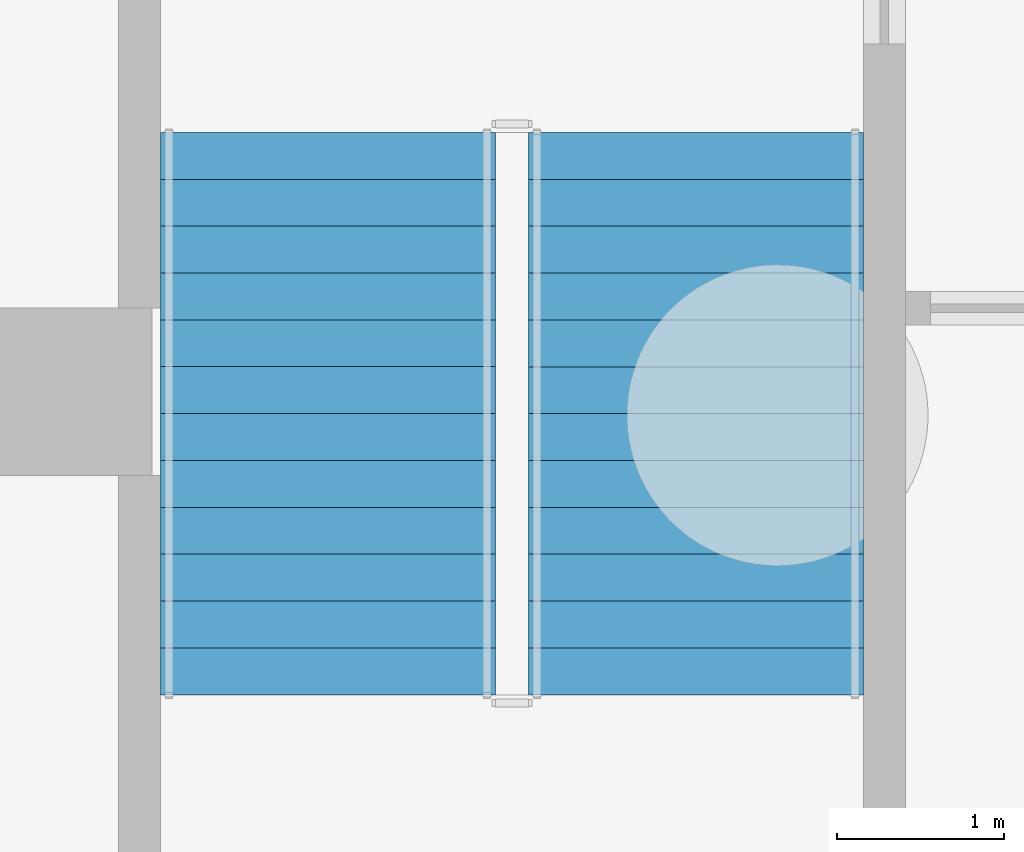
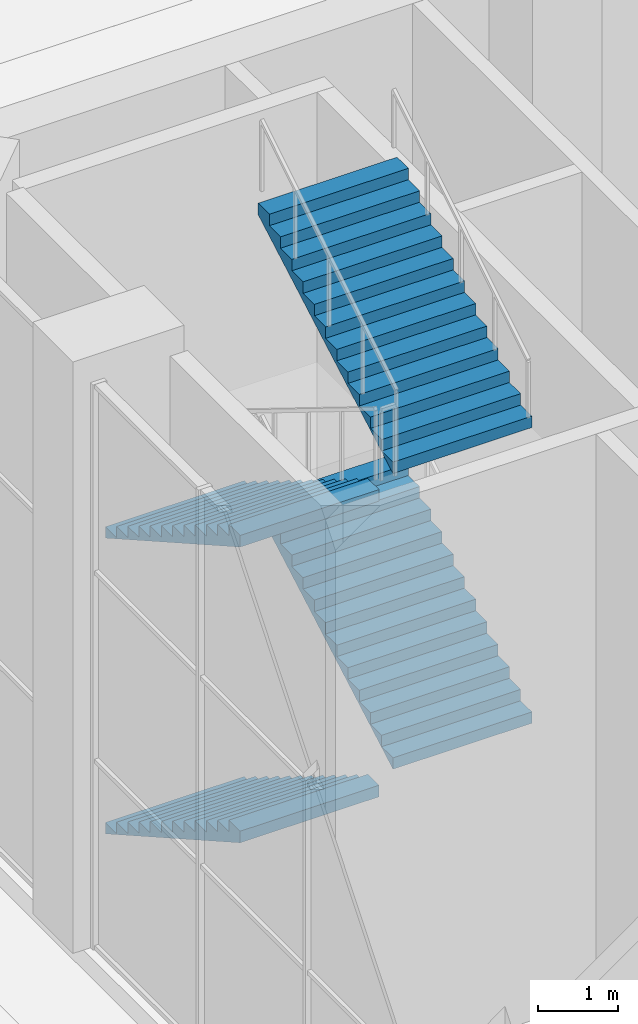
# One storey, part 19 of 25: 4 stair flights, 1 element without a shape of its own.
"""IFC4 building model written with IfcOpenShell, lengths in metres."""

from ifc_helpers import new_model, si_unit, direction, frame, origin, place, context, subcontext, project, spatial, triangles, material, type_object, element, aggregate, save


model = new_model("IFC4")

# Units and contexts
model_context = context("Model", 3, precision=1e-05, world=origin(), true_north=direction((0.0, 1.0)))
body_context = subcontext(model_context, "Body", "Model", "MODEL_VIEW")
ifc_project = project(units=[si_unit("LENGTHUNIT", "METRE"), si_unit("AREAUNIT", "SQUARE_METRE"), si_unit("VOLUMEUNIT", "CUBIC_METRE"), si_unit("PLANEANGLEUNIT", "RADIAN"), si_unit("MASSUNIT", "GRAM", prefix="KILO")], contexts=[model_context])

# Site, building, storey
site_placement = place(None, origin())
site = spatial("IfcSite", under=ifc_project, at=site_placement, CompositionType="ELEMENT")
building_placement = place(site_placement, origin())
building = spatial("IfcBuilding", under=site, at=building_placement, Name="Cypress Arch Tower", CompositionType="ELEMENT")
storey_placement = place(building_placement, origin())
storey = spatial("IfcBuildingStorey", under=building, at=storey_placement, Name="L00", CompositionType="ELEMENT", Elevation=0.0)

# Stair, stair flights
ifc_material_1 = material(Name="Concrete C40/50", Category="concrete")
stair_type = type_object("IfcStairType", Name="Exit stair ES1731-200", PredefinedType="HALF_TURN_STAIR", material=ifc_material_1)
stair_placement = place(storey_placement, origin())
stair = element("IfcStair", 1, at=stair_placement, inside=storey, type_object=stair_type, Name="L00 Exit stair P2", PredefinedType="HALF_TURN_STAIR")
ifc_material_2 = material(Name="Concrete C40/50", Category="concrete")
stair_flight_type = type_object("IfcStairFlightType", Name="Exit stair flight ES1731-200", PredefinedType="STRAIGHT", material=ifc_material_2)
stair_flight_1_placement = place(storey_placement, frame((-36.5, 24.050048828125, 0.0), z_axis=(0.0, 0.0, 1.0), x_axis=(0.0, -1.0, 0.0)))
stair_flight_1 = element("IfcStairFlight", 2, at=stair_flight_1_placement, type_object=stair_flight_type, Name="P2 flight 1", NumberOfRisers=13, NumberOfTreads=12, PredefinedType="STRAIGHT", RiserHeight=0.173076923, TreadLength=0.28, context=body_context, shape_type="Tessellation", body=[
    triangles([(0.0, -1.0, 0.0), (0.00048828125, -1.0, 0.0576171875), (0.00048828125, -1.0, 0.115478515625), (0.0, -1.0, 0.173095703125), (0.280029296875, -1.0, 0.173095703125), (0.280029296875, -1.0, 0.34619140625), (0.56005859375, -1.0, 0.34619140625), (0.56005859375, -1.0, 0.519287109375), (0.840087890625, -1.0, 0.519287109375), (0.840087890625, -1.0, 0.6923828125), (1.1201171875, -1.0, 0.6923828125), (1.1201171875, -1.0, 0.865478515625), (1.39990234375, -1.0, 0.865478515625), (1.39990234375, -1.0, 1.03857421875), (1.679931640625, -1.0, 1.03857421875), (1.679931640625, -1.0, 1.21142578125), (1.9599609375, -1.0, 1.21142578125), (1.9599609375, -1.0, 1.384521484375), (2.239990234375, -1.0, 1.384521484375), (2.239990234375, -1.0, 1.5576171875), (2.52001953125, -1.0, 1.5576171875), (2.52001953125, -1.0, 1.730712890625), (2.800048828125, -1.0, 1.730712890625), (2.800048828125, -1.0, 1.90380859375), (3.080078125, -1.0, 1.90380859375), (3.080078125, -1.0, 2.076904296875), (3.360107421875, -1.0, 2.076904296875), (3.359619140625, -1.0, 2.01806640625), (3.359619140625, -1.0, 1.95947265625), (3.360107421875, -1.0, 1.900634765625), (3.360107421875, 1.0, 1.900634765625), (3.359619140625, 1.0, 1.95947265625), (3.359619140625, 1.0, 2.01806640625), (3.360107421875, 1.0, 2.076904296875), (3.080078125, 1.0, 2.076904296875), (3.080078125, 1.0, 1.90380859375), (2.800048828125, 1.0, 1.90380859375), (2.800048828125, 1.0, 1.730712890625), (2.52001953125, 1.0, 1.730712890625), (2.52001953125, 1.0, 1.5576171875), (2.239990234375, 1.0, 1.5576171875), (2.239990234375, 1.0, 1.384521484375), (1.9599609375, 1.0, 1.384521484375), (1.9599609375, 1.0, 1.21142578125), (1.679931640625, 1.0, 1.21142578125), (1.679931640625, 1.0, 1.03857421875), (1.39990234375, 1.0, 1.03857421875), (1.39990234375, 1.0, 0.865478515625), (1.1201171875, 1.0, 0.865478515625), (1.1201171875, 1.0, 0.6923828125), (0.840087890625, 1.0, 0.6923828125), (0.840087890625, 1.0, 0.519287109375), (0.56005859375, 1.0, 0.519287109375), (0.56005859375, 1.0, 0.34619140625), (0.280029296875, 1.0, 0.34619140625), (0.280029296875, 1.0, 0.173095703125), (0.0, 1.0, 0.173095703125), (0.00048828125, 1.0, 0.115478515625), (0.00048828125, 1.0, 0.0576171875), (0.0, 1.0, 0.0)], [[30, 29, 26], [29, 28, 26], [28, 27, 26], [13, 12, 11], [25, 24, 23], [23, 22, 21], [21, 20, 19], [19, 18, 17], [15, 14, 13], [11, 10, 9], [9, 8, 7], [7, 6, 5], [4, 3, 5], [3, 2, 5], [2, 1, 5], [17, 16, 15], [30, 26, 25], [30, 25, 23], [30, 23, 21], [30, 21, 19], [30, 19, 17], [1, 30, 17], [17, 15, 13], [17, 13, 11], [17, 11, 9], [17, 9, 7], [17, 7, 5], [17, 5, 1], [31, 35, 32], [32, 35, 33], [33, 35, 34], [48, 50, 49], [36, 38, 37], [38, 40, 39], [40, 42, 41], [42, 44, 43], [46, 48, 47], [50, 52, 51], [52, 54, 53], [54, 56, 55], [57, 56, 58], [58, 56, 59], [59, 56, 60], [44, 46, 45], [31, 36, 35], [31, 38, 36], [31, 40, 38], [31, 42, 40], [31, 44, 42], [60, 44, 31], [44, 48, 46], [44, 50, 48], [44, 52, 50], [44, 54, 52], [44, 56, 54], [44, 60, 56], [31, 32, 29], [31, 29, 30], [32, 33, 28], [32, 28, 29], [33, 34, 27], [33, 27, 28], [34, 35, 26], [34, 26, 27], [35, 36, 25], [35, 25, 26], [36, 37, 24], [36, 24, 25], [37, 38, 23], [37, 23, 24], [38, 39, 22], [38, 22, 23], [39, 40, 21], [39, 21, 22], [40, 41, 20], [40, 20, 21], [41, 42, 19], [41, 19, 20], [42, 43, 18], [42, 18, 19], [43, 44, 17], [43, 17, 18], [44, 45, 16], [44, 16, 17], [45, 46, 15], [45, 15, 16], [46, 47, 14], [46, 14, 15], [47, 48, 13], [47, 13, 14], [48, 49, 12], [48, 12, 13], [49, 50, 11], [49, 11, 12], [50, 51, 10], [50, 10, 11], [51, 52, 9], [51, 9, 10], [52, 53, 8], [52, 8, 9], [53, 54, 7], [53, 7, 8], [54, 55, 6], [54, 6, 7], [55, 56, 5], [55, 5, 6], [56, 57, 4], [56, 4, 5], [57, 58, 3], [57, 3, 4], [58, 59, 2], [58, 2, 3], [59, 60, 1], [59, 1, 2], [60, 31, 30], [60, 30, 1]], closed=True),
])
stair_flight_2_placement = place(storey_placement, frame((-34.300048828125, 20.68994140625, 2.25), z_axis=(0.0, 0.0, 1.0), x_axis=(0.0, 1.0, 0.0)))
stair_flight_2 = element("IfcStairFlight", 3, at=stair_flight_2_placement, type_object=stair_flight_type, Name="P2 flight 2", NumberOfRisers=13, NumberOfTreads=12, PredefinedType="STRAIGHT", RiserHeight=0.173076923, TreadLength=0.28, context=body_context, shape_type="Tessellation", body=[
    triangles([(0.0, -1.0, 0.0), (0.00048828125, -1.0, 0.0576171875), (0.00048828125, -1.0, 0.115478515625), (0.0, -1.0, 0.173095703125), (0.280029296875, -1.0, 0.173095703125), (0.280029296875, -1.0, 0.34619140625), (0.56005859375, -1.0, 0.34619140625), (0.56005859375, -1.0, 0.519287109375), (0.840087890625, -1.0, 0.519287109375), (0.840087890625, -1.0, 0.6923828125), (1.1201171875, -1.0, 0.6923828125), (1.1201171875, -1.0, 0.865478515625), (1.39990234375, -1.0, 0.865478515625), (1.39990234375, -1.0, 1.03857421875), (1.679931640625, -1.0, 1.03857421875), (1.679931640625, -1.0, 1.21142578125), (1.9599609375, -1.0, 1.21142578125), (1.9599609375, -1.0, 1.384521484375), (2.239990234375, -1.0, 1.384521484375), (2.239990234375, -1.0, 1.5576171875), (2.52001953125, -1.0, 1.5576171875), (2.52001953125, -1.0, 1.730712890625), (2.800048828125, -1.0, 1.730712890625), (2.800048828125, -1.0, 1.90380859375), (3.080078125, -1.0, 1.90380859375), (3.080078125, -1.0, 2.076904296875), (3.360107421875, -1.0, 2.076904296875), (3.359619140625, -1.0, 2.01806640625), (3.359619140625, -1.0, 1.95947265625), (3.360107421875, -1.0, 1.900634765625), (3.360107421875, 1.0, 1.900634765625), (3.359619140625, 1.0, 1.95947265625), (3.359619140625, 1.0, 2.01806640625), (3.360107421875, 1.0, 2.076904296875), (3.080078125, 1.0, 2.076904296875), (3.080078125, 1.0, 1.90380859375), (2.800048828125, 1.0, 1.90380859375), (2.800048828125, 1.0, 1.730712890625), (2.52001953125, 1.0, 1.730712890625), (2.52001953125, 1.0, 1.5576171875), (2.239990234375, 1.0, 1.5576171875), (2.239990234375, 1.0, 1.384521484375), (1.9599609375, 1.0, 1.384521484375), (1.9599609375, 1.0, 1.21142578125), (1.679931640625, 1.0, 1.21142578125), (1.679931640625, 1.0, 1.03857421875), (1.39990234375, 1.0, 1.03857421875), (1.39990234375, 1.0, 0.865478515625), (1.1201171875, 1.0, 0.865478515625), (1.1201171875, 1.0, 0.6923828125), (0.840087890625, 1.0, 0.6923828125), (0.840087890625, 1.0, 0.519287109375), (0.56005859375, 1.0, 0.519287109375), (0.56005859375, 1.0, 0.34619140625), (0.280029296875, 1.0, 0.34619140625), (0.280029296875, 1.0, 0.173095703125), (0.0, 1.0, 0.173095703125), (0.00048828125, 1.0, 0.115478515625), (0.00048828125, 1.0, 0.0576171875), (0.0, 1.0, 0.0)], [[30, 29, 26], [29, 28, 26], [28, 27, 26], [13, 12, 11], [25, 24, 23], [23, 22, 21], [21, 20, 19], [19, 18, 17], [15, 14, 13], [11, 10, 9], [9, 8, 7], [7, 6, 5], [4, 3, 5], [3, 2, 5], [2, 1, 5], [17, 16, 15], [30, 26, 25], [30, 25, 23], [30, 23, 21], [30, 21, 19], [30, 19, 17], [1, 30, 17], [17, 15, 13], [17, 13, 11], [17, 11, 9], [17, 9, 7], [17, 7, 5], [17, 5, 1], [31, 35, 32], [32, 35, 33], [33, 35, 34], [48, 50, 49], [36, 38, 37], [38, 40, 39], [40, 42, 41], [42, 44, 43], [46, 48, 47], [50, 52, 51], [52, 54, 53], [54, 56, 55], [57, 56, 58], [58, 56, 59], [59, 56, 60], [44, 46, 45], [31, 36, 35], [31, 38, 36], [31, 40, 38], [31, 42, 40], [31, 44, 42], [60, 44, 31], [44, 48, 46], [44, 50, 48], [44, 52, 50], [44, 54, 52], [44, 56, 54], [44, 60, 56], [31, 32, 29], [31, 29, 30], [32, 33, 28], [32, 28, 29], [33, 34, 27], [33, 27, 28], [34, 35, 26], [34, 26, 27], [35, 36, 25], [35, 25, 26], [36, 37, 24], [36, 24, 25], [37, 38, 23], [37, 23, 24], [38, 39, 22], [38, 22, 23], [39, 40, 21], [39, 21, 22], [40, 41, 20], [40, 20, 21], [41, 42, 19], [41, 19, 20], [42, 43, 18], [42, 18, 19], [43, 44, 17], [43, 17, 18], [44, 45, 16], [44, 16, 17], [45, 46, 15], [45, 15, 16], [46, 47, 14], [46, 14, 15], [47, 48, 13], [47, 13, 14], [48, 49, 12], [48, 12, 13], [49, 50, 11], [49, 11, 12], [50, 51, 10], [50, 10, 11], [51, 52, 9], [51, 9, 10], [52, 53, 8], [52, 8, 9], [53, 54, 7], [53, 7, 8], [54, 55, 6], [54, 6, 7], [55, 56, 5], [55, 5, 6], [56, 57, 4], [56, 4, 5], [57, 58, 3], [57, 3, 4], [58, 59, 2], [58, 2, 3], [59, 60, 1], [59, 1, 2], [60, 31, 30], [60, 30, 1]], closed=True),
])
stair_flight_3_placement = place(storey_placement, frame((-36.5, 24.050048828125, 4.5), z_axis=(0.0, 0.0, 1.0), x_axis=(0.0, -1.0, 0.0)))
stair_flight_3 = element("IfcStairFlight", 4, at=stair_flight_3_placement, type_object=stair_flight_type, Name="P2 flight 3", NumberOfRisers=13, NumberOfTreads=12, PredefinedType="STRAIGHT", RiserHeight=0.173076923, TreadLength=0.28, context=body_context, shape_type="Tessellation", body=[
    triangles([(0.0, -1.0, 0.0), (0.00048828125, -1.0, 0.0576171875), (0.00048828125, -1.0, 0.115478515625), (0.0, -1.0, 0.173095703125), (0.280029296875, -1.0, 0.173095703125), (0.280029296875, -1.0, 0.34619140625), (0.56005859375, -1.0, 0.34619140625), (0.56005859375, -1.0, 0.519287109375), (0.840087890625, -1.0, 0.519287109375), (0.840087890625, -1.0, 0.6923828125), (1.1201171875, -1.0, 0.6923828125), (1.1201171875, -1.0, 0.865478515625), (1.39990234375, -1.0, 0.865478515625), (1.39990234375, -1.0, 1.03857421875), (1.679931640625, -1.0, 1.03857421875), (1.679931640625, -1.0, 1.21142578125), (1.9599609375, -1.0, 1.21142578125), (1.9599609375, -1.0, 1.384521484375), (2.239990234375, -1.0, 1.384521484375), (2.239990234375, -1.0, 1.5576171875), (2.52001953125, -1.0, 1.5576171875), (2.52001953125, -1.0, 1.730712890625), (2.800048828125, -1.0, 1.730712890625), (2.800048828125, -1.0, 1.90380859375), (3.080078125, -1.0, 1.90380859375), (3.080078125, -1.0, 2.076904296875), (3.360107421875, -1.0, 2.076904296875), (3.359619140625, -1.0, 2.01806640625), (3.359619140625, -1.0, 1.95947265625), (3.360107421875, -1.0, 1.900634765625), (3.360107421875, 1.0, 1.900634765625), (3.359619140625, 1.0, 1.95947265625), (3.359619140625, 1.0, 2.01806640625), (3.360107421875, 1.0, 2.076904296875), (3.080078125, 1.0, 2.076904296875), (3.080078125, 1.0, 1.90380859375), (2.800048828125, 1.0, 1.90380859375), (2.800048828125, 1.0, 1.730712890625), (2.52001953125, 1.0, 1.730712890625), (2.52001953125, 1.0, 1.5576171875), (2.239990234375, 1.0, 1.5576171875), (2.239990234375, 1.0, 1.384521484375), (1.9599609375, 1.0, 1.384521484375), (1.9599609375, 1.0, 1.21142578125), (1.679931640625, 1.0, 1.21142578125), (1.679931640625, 1.0, 1.03857421875), (1.39990234375, 1.0, 1.03857421875), (1.39990234375, 1.0, 0.865478515625), (1.1201171875, 1.0, 0.865478515625), (1.1201171875, 1.0, 0.6923828125), (0.840087890625, 1.0, 0.6923828125), (0.840087890625, 1.0, 0.519287109375), (0.56005859375, 1.0, 0.519287109375), (0.56005859375, 1.0, 0.34619140625), (0.280029296875, 1.0, 0.34619140625), (0.280029296875, 1.0, 0.173095703125), (0.0, 1.0, 0.173095703125), (0.00048828125, 1.0, 0.115478515625), (0.00048828125, 1.0, 0.0576171875), (0.0, 1.0, 0.0)], [[30, 29, 26], [29, 28, 26], [28, 27, 26], [13, 12, 11], [25, 24, 23], [23, 22, 21], [21, 20, 19], [19, 18, 17], [15, 14, 13], [11, 10, 9], [9, 8, 7], [7, 6, 5], [4, 3, 5], [3, 2, 5], [2, 1, 5], [17, 16, 15], [30, 26, 25], [30, 25, 23], [30, 23, 21], [30, 21, 19], [30, 19, 17], [1, 30, 17], [17, 15, 13], [17, 13, 11], [17, 11, 9], [17, 9, 7], [17, 7, 5], [17, 5, 1], [31, 35, 32], [32, 35, 33], [33, 35, 34], [48, 50, 49], [36, 38, 37], [38, 40, 39], [40, 42, 41], [42, 44, 43], [46, 48, 47], [50, 52, 51], [52, 54, 53], [54, 56, 55], [57, 56, 58], [58, 56, 59], [59, 56, 60], [44, 46, 45], [31, 36, 35], [31, 38, 36], [31, 40, 38], [31, 42, 40], [31, 44, 42], [60, 44, 31], [44, 48, 46], [44, 50, 48], [44, 52, 50], [44, 54, 52], [44, 56, 54], [44, 60, 56], [31, 32, 29], [31, 29, 30], [32, 33, 28], [32, 28, 29], [33, 34, 27], [33, 27, 28], [34, 35, 26], [34, 26, 27], [35, 36, 25], [35, 25, 26], [36, 37, 24], [36, 24, 25], [37, 38, 23], [37, 23, 24], [38, 39, 22], [38, 22, 23], [39, 40, 21], [39, 21, 22], [40, 41, 20], [40, 20, 21], [41, 42, 19], [41, 19, 20], [42, 43, 18], [42, 18, 19], [43, 44, 17], [43, 17, 18], [44, 45, 16], [44, 16, 17], [45, 46, 15], [45, 15, 16], [46, 47, 14], [46, 14, 15], [47, 48, 13], [47, 13, 14], [48, 49, 12], [48, 12, 13], [49, 50, 11], [49, 11, 12], [50, 51, 10], [50, 10, 11], [51, 52, 9], [51, 9, 10], [52, 53, 8], [52, 8, 9], [53, 54, 7], [53, 7, 8], [54, 55, 6], [54, 6, 7], [55, 56, 5], [55, 5, 6], [56, 57, 4], [56, 4, 5], [57, 58, 3], [57, 3, 4], [58, 59, 2], [58, 2, 3], [59, 60, 1], [59, 1, 2], [60, 31, 30], [60, 30, 1]], closed=True),
])
stair_flight_4_placement = place(storey_placement, frame((-34.300048828125, 20.68994140625, 6.75), z_axis=(0.0, 0.0, 1.0), x_axis=(0.0, 1.0, 0.0)))
stair_flight_4 = element("IfcStairFlight", 5, at=stair_flight_4_placement, type_object=stair_flight_type, Name="P2 flight 4", NumberOfRisers=13, NumberOfTreads=12, PredefinedType="STRAIGHT", RiserHeight=0.173076923, TreadLength=0.28, context=body_context, shape_type="Tessellation", body=[
    triangles([(0.0, -1.0, 0.0), (0.00048828125, -1.0, 0.0576171875), (0.00048828125, -1.0, 0.115478515625), (0.0, -1.0, 0.173095703125), (0.280029296875, -1.0, 0.173095703125), (0.280029296875, -1.0, 0.34619140625), (0.56005859375, -1.0, 0.34619140625), (0.56005859375, -1.0, 0.519287109375), (0.840087890625, -1.0, 0.519287109375), (0.840087890625, -1.0, 0.6923828125), (1.1201171875, -1.0, 0.6923828125), (1.1201171875, -1.0, 0.865478515625), (1.39990234375, -1.0, 0.865478515625), (1.39990234375, -1.0, 1.03857421875), (1.679931640625, -1.0, 1.03857421875), (1.679931640625, -1.0, 1.21142578125), (1.9599609375, -1.0, 1.21142578125), (1.9599609375, -1.0, 1.384521484375), (2.239990234375, -1.0, 1.384521484375), (2.239990234375, -1.0, 1.5576171875), (2.52001953125, -1.0, 1.5576171875), (2.52001953125, -1.0, 1.730712890625), (2.800048828125, -1.0, 1.730712890625), (2.800048828125, -1.0, 1.90380859375), (3.080078125, -1.0, 1.90380859375), (3.080078125, -1.0, 2.076904296875), (3.360107421875, -1.0, 2.076904296875), (3.359619140625, -1.0, 2.01806640625), (3.359619140625, -1.0, 1.95947265625), (3.360107421875, -1.0, 1.900634765625), (3.360107421875, 1.0, 1.900634765625), (3.359619140625, 1.0, 1.95947265625), (3.359619140625, 1.0, 2.01806640625), (3.360107421875, 1.0, 2.076904296875), (3.080078125, 1.0, 2.076904296875), (3.080078125, 1.0, 1.90380859375), (2.800048828125, 1.0, 1.90380859375), (2.800048828125, 1.0, 1.730712890625), (2.52001953125, 1.0, 1.730712890625), (2.52001953125, 1.0, 1.5576171875), (2.239990234375, 1.0, 1.5576171875), (2.239990234375, 1.0, 1.384521484375), (1.9599609375, 1.0, 1.384521484375), (1.9599609375, 1.0, 1.21142578125), (1.679931640625, 1.0, 1.21142578125), (1.679931640625, 1.0, 1.03857421875), (1.39990234375, 1.0, 1.03857421875), (1.39990234375, 1.0, 0.865478515625), (1.1201171875, 1.0, 0.865478515625), (1.1201171875, 1.0, 0.6923828125), (0.840087890625, 1.0, 0.6923828125), (0.840087890625, 1.0, 0.519287109375), (0.56005859375, 1.0, 0.519287109375), (0.56005859375, 1.0, 0.34619140625), (0.280029296875, 1.0, 0.34619140625), (0.280029296875, 1.0, 0.173095703125), (0.0, 1.0, 0.173095703125), (0.00048828125, 1.0, 0.115478515625), (0.00048828125, 1.0, 0.0576171875), (0.0, 1.0, 0.0)], [[30, 29, 26], [29, 28, 26], [28, 27, 26], [13, 12, 11], [25, 24, 23], [23, 22, 21], [21, 20, 19], [19, 18, 17], [15, 14, 13], [11, 10, 9], [9, 8, 7], [7, 6, 5], [4, 3, 5], [3, 2, 5], [2, 1, 5], [17, 16, 15], [30, 26, 25], [30, 25, 23], [30, 23, 21], [30, 21, 19], [30, 19, 17], [1, 30, 17], [17, 15, 13], [17, 13, 11], [17, 11, 9], [17, 9, 7], [17, 7, 5], [17, 5, 1], [31, 35, 32], [32, 35, 33], [33, 35, 34], [48, 50, 49], [36, 38, 37], [38, 40, 39], [40, 42, 41], [42, 44, 43], [46, 48, 47], [50, 52, 51], [52, 54, 53], [54, 56, 55], [57, 56, 58], [58, 56, 59], [59, 56, 60], [44, 46, 45], [31, 36, 35], [31, 38, 36], [31, 40, 38], [31, 42, 40], [31, 44, 42], [60, 44, 31], [44, 48, 46], [44, 50, 48], [44, 52, 50], [44, 54, 52], [44, 56, 54], [44, 60, 56], [31, 32, 29], [31, 29, 30], [32, 33, 28], [32, 28, 29], [33, 34, 27], [33, 27, 28], [34, 35, 26], [34, 26, 27], [35, 36, 25], [35, 25, 26], [36, 37, 24], [36, 24, 25], [37, 38, 23], [37, 23, 24], [38, 39, 22], [38, 22, 23], [39, 40, 21], [39, 21, 22], [40, 41, 20], [40, 20, 21], [41, 42, 19], [41, 19, 20], [42, 43, 18], [42, 18, 19], [43, 44, 17], [43, 17, 18], [44, 45, 16], [44, 16, 17], [45, 46, 15], [45, 15, 16], [46, 47, 14], [46, 14, 15], [47, 48, 13], [47, 13, 14], [48, 49, 12], [48, 12, 13], [49, 50, 11], [49, 11, 12], [50, 51, 10], [50, 10, 11], [51, 52, 9], [51, 9, 10], [52, 53, 8], [52, 8, 9], [53, 54, 7], [53, 7, 8], [54, 55, 6], [54, 6, 7], [55, 56, 5], [55, 5, 6], [56, 57, 4], [56, 4, 5], [57, 58, 3], [57, 3, 4], [58, 59, 2], [58, 2, 3], [59, 60, 1], [59, 1, 2], [60, 31, 30], [60, 30, 1]], closed=True),
])
aggregate(stair, [stair_flight_1, stair_flight_2, stair_flight_3, stair_flight_4])

save(model, "model.ifc")
